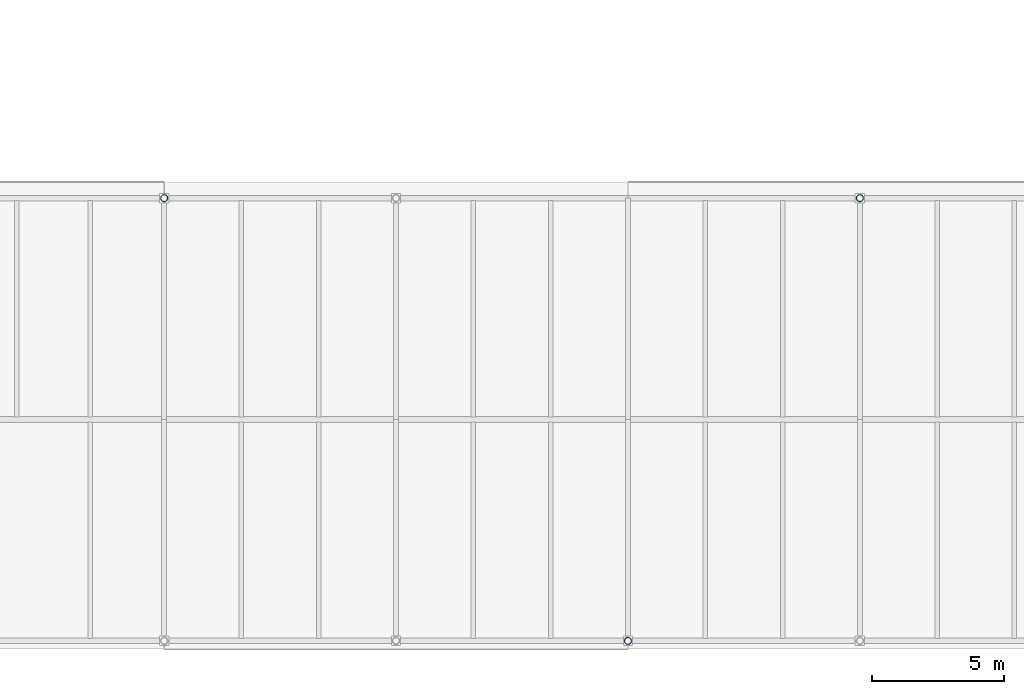
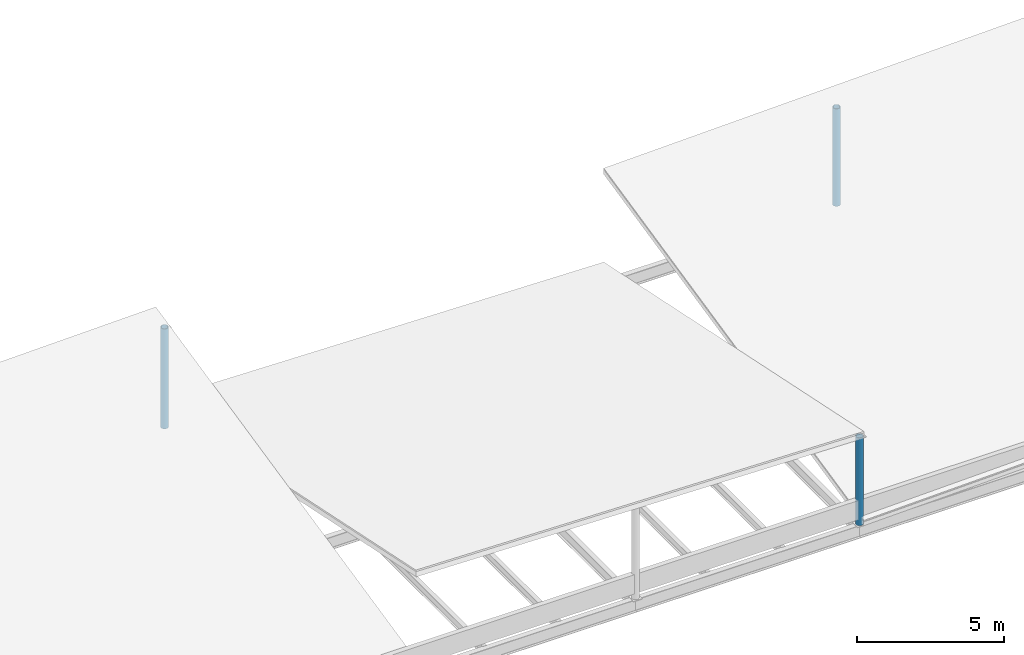
# One storey, part 2 of 50: 3 columns.
"""IFC4 building model written with IfcOpenShell, lengths in metres."""

from ifc_helpers import new_model, si_unit, direction, frame, origin, origin_2d, place, context, subcontext, project, spatial, hollow_circle, extrude, material, material_profile, profile_set, type_object, element, save


model = new_model("IFC4")

# Units and contexts
model_context = context("Model", 3, precision=1e-05, world=origin(), true_north=direction((0.0, 1.0)))
body_context = subcontext(model_context, "Body", "Model", "MODEL_VIEW")
ifc_project = project(units=[si_unit("LENGTHUNIT", "METRE"), si_unit("AREAUNIT", "SQUARE_METRE"), si_unit("VOLUMEUNIT", "CUBIC_METRE"), si_unit("PLANEANGLEUNIT", "RADIAN"), si_unit("MASSUNIT", "GRAM", prefix="KILO")], contexts=[model_context])

# Site, building, storey
site_placement = place(None, origin())
site = spatial("IfcSite", under=ifc_project, at=site_placement, CompositionType="ELEMENT")
building_placement = place(site_placement, origin())
building = spatial("IfcBuilding", under=site, at=building_placement, Name="Cinderway Yard Community Centre", CompositionType="ELEMENT")
storey_placement = place(building_placement, frame((0.0, 0.0, 12.89990234375)))
storey = spatial("IfcBuildingStorey", under=building, at=storey_placement, Name="L03", CompositionType="ELEMENT", Elevation=12.89990234375)

# Columns
ifc_material = material(Name="Steel S355", Category="steel")
ifc_material_profile = material_profile(ifc_material, hollow_circle(Radius=0.136474609375, WallThickness=0.012451171875, at=origin_2d()), Name="Steel S355")
ifc_profile_set = profile_set([ifc_material_profile], Name="Steel S355")
column_type = type_object("IfcColumnType", Name="STR-POST-CHS273", PredefinedType="PILASTER", material=ifc_profile_set)
column_1_placement = place(storey_placement, frame((75.199951171875, 22.800048828125, 0.0), z_axis=(0.0, 0.0, 1.0), x_axis=(1.0, 0.0, 0.0)))
element("IfcColumn", 1, at=column_1_placement, inside=storey, type_object=column_type, Name="V3 roof strut post FOLD1-4", PredefinedType="PILASTER", context=body_context, shape_type="SweptSolid", body=[
    extrude(hollow_circle(Radius=0.136474609375, WallThickness=0.012451171875, at=origin_2d()), origin(), (0.0, 0.0, 1.0), 4.150146484375),
])
column_2_placement = place(storey_placement, frame((92.800048828125, 6.0, 0.0), z_axis=(0.0, 0.0, 1.0), x_axis=(1.0, 0.0, 0.0)))
element("IfcColumn", 2, at=column_2_placement, inside=storey, type_object=column_type, Name="V3 roof strut post FOLD2-2", PredefinedType="PILASTER", context=body_context, shape_type="SweptSolid", body=[
    extrude(hollow_circle(Radius=0.136474609375, WallThickness=0.012451171875, at=origin_2d()), origin(), (0.0, 0.0, 1.0), 3.650146484375),
])
column_3_placement = place(storey_placement, frame((101.60009765625, 22.800048828125, 0.0), z_axis=(0.0, 0.0, 1.0), x_axis=(1.0, 0.0, 0.0)))
element("IfcColumn", 3, at=column_3_placement, inside=storey, type_object=column_type, Name="V3 roof strut post FOLD3-3", PredefinedType="PILASTER", context=body_context, shape_type="SweptSolid", body=[
    extrude(hollow_circle(Radius=0.136474609375, WallThickness=0.012451171875, at=origin_2d()), origin(), (0.0, 0.0, 1.0), 4.050048828125),
])

save(model, "model.ifc")
